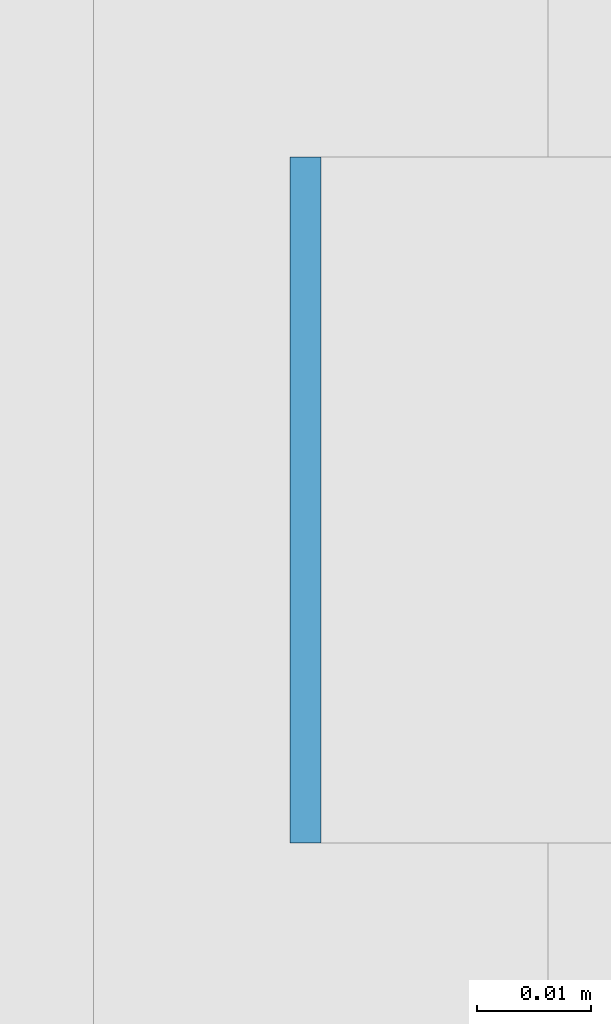
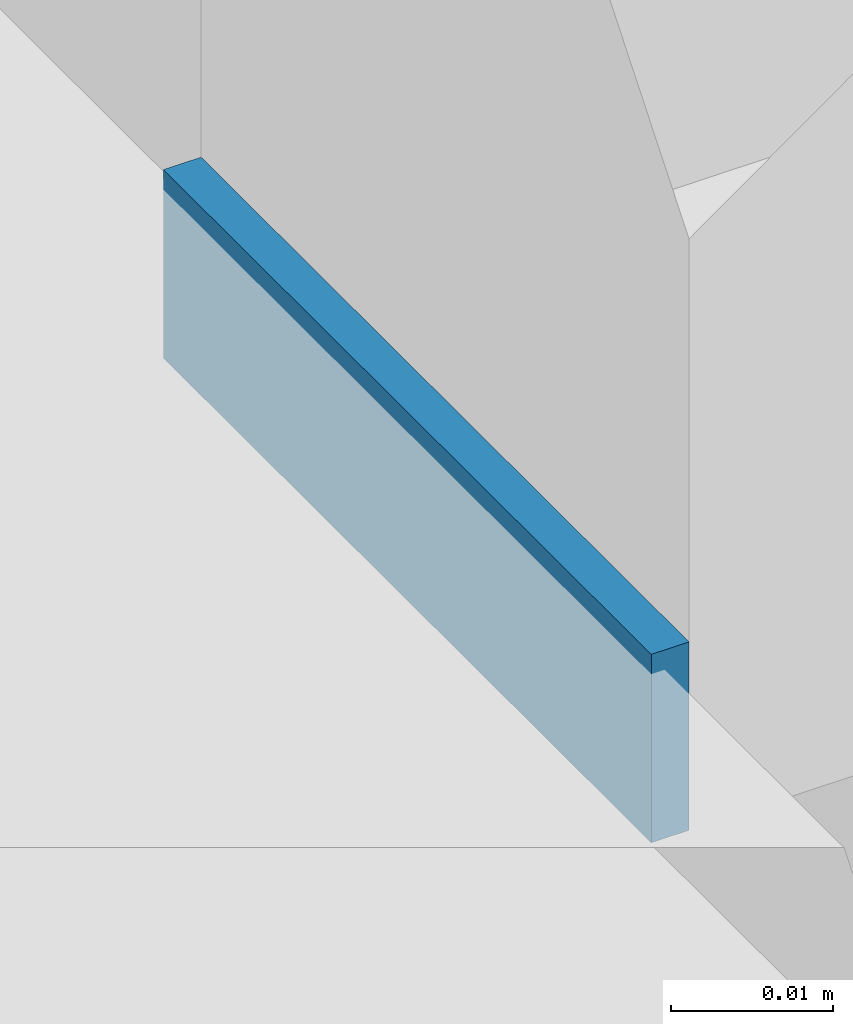
# One storey, part 560 of 646: 1 discrete accessory.
"""IFC4 building model written with IfcOpenShell, lengths in metres."""

from ifc_helpers import new_model, si_unit, direction, frame, origin, origin_2d, place, context, subcontext, project, spatial, rectangle, extrude, material, type_object, element, save


model = new_model("IFC4")

# Units and contexts
model_context = context("Model", 3, precision=1e-05, world=origin(), true_north=direction((0.0, 1.0)))
body_context = subcontext(model_context, "Body", "Model", "MODEL_VIEW")
ifc_project = project(units=[si_unit("LENGTHUNIT", "METRE"), si_unit("AREAUNIT", "SQUARE_METRE"), si_unit("VOLUMEUNIT", "CUBIC_METRE"), si_unit("PLANEANGLEUNIT", "RADIAN"), si_unit("MASSUNIT", "GRAM", prefix="KILO")], contexts=[model_context])

# Site, building, storey
site_placement = place(None, origin())
site = spatial("IfcSite", under=ifc_project, at=site_placement, CompositionType="ELEMENT")
building_placement = place(site_placement, origin())
building = spatial("IfcBuilding", under=site, at=building_placement, Name="Silverbay Arena", CompositionType="ELEMENT")
storey_placement = place(building_placement, frame((0.0, 0.0, 33.5)))
storey = spatial("IfcBuildingStorey", under=building, at=storey_placement, Name="L05", CompositionType="ELEMENT", Elevation=33.5)

# Discrete accessory
ifc_material = material(Name="Steel S355", Category="steel")
discrete_accessory_type = type_object("IfcDiscreteAccessoryType", Name="Steel bracket plate", PredefinedType="BRACKET", material=ifc_material)
discrete_accessory_placement = place(storey_placement, frame((207.128662109375, 100.28564453125, 4.0), z_axis=(0.0, 0.0, 1.0), x_axis=(1.0, 0.0, 0.0)))
element("IfcDiscreteAccessory", 1, at=discrete_accessory_placement, inside=storey, type_object=discrete_accessory_type, Name="Curtain wall packing plate", PredefinedType="BRACKET", context=body_context, shape_type="SweptSolid", body=[
    extrude(rectangle(XDim=0.002685546875, YDim=0.06005859375, at=origin_2d()), origin(), (0.0, 0.0, 1.0), 0.01416015625),
])

save(model, "model.ifc")
